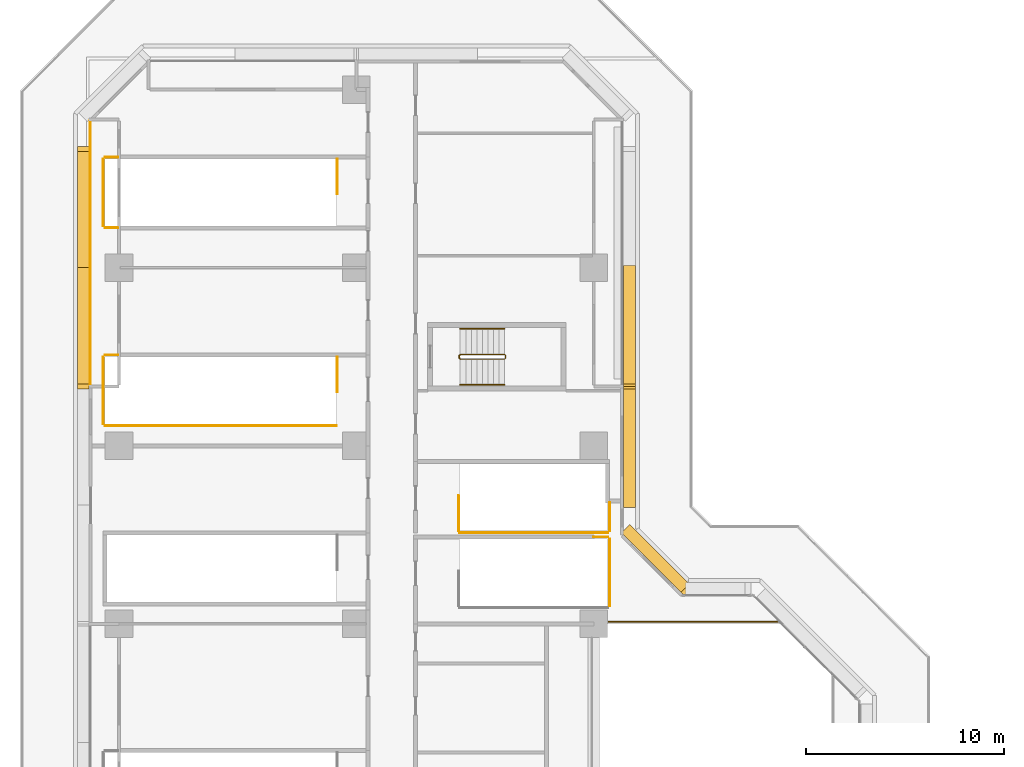
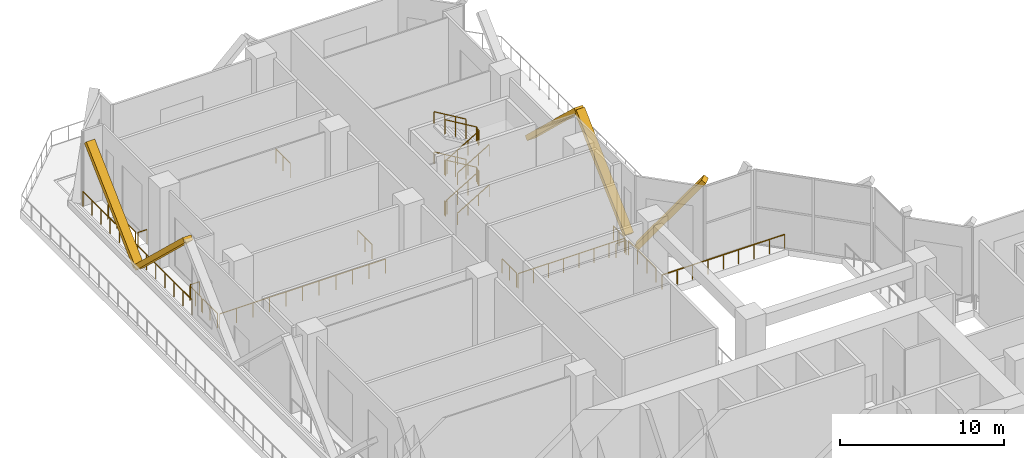
# One storey, part 14 of 16: 21 railings, 5 coverings.
"""IFC4 building model written with IfcOpenShell, lengths in metres."""

from ifc_helpers import new_model, si_unit, direction, frame, origin, origin_2d, place, context, subcontext, project, spatial, rectangle, extrude, material, material_profile, profile_set, type_object, element, save


model = new_model("IFC4")

# Units and contexts
model_context = context("Model", 3, precision=1e-05, world=origin(), true_north=direction((0.0, 1.0)))
body_context = subcontext(model_context, "Body", "Model", "MODEL_VIEW")
ifc_project = project(units=[si_unit("LENGTHUNIT", "METRE"), si_unit("AREAUNIT", "SQUARE_METRE"), si_unit("VOLUMEUNIT", "CUBIC_METRE"), si_unit("PLANEANGLEUNIT", "RADIAN"), si_unit("MASSUNIT", "GRAM", prefix="KILO")], contexts=[model_context])

# Site, building, storey
site_placement = place(None, origin())
site = spatial("IfcSite", under=ifc_project, at=site_placement, CompositionType="ELEMENT")
building_placement = place(site_placement, origin())
building = spatial("IfcBuilding", under=site, at=building_placement, Name="Chenar Terraces", CompositionType="ELEMENT")
storey_placement = place(building_placement, frame((0.0, 0.0, 35.39990234375)))
storey = spatial("IfcBuildingStorey", under=building, at=storey_placement, Name="L06", CompositionType="ELEMENT", Elevation=35.39990234375)

# Railings
ifc_material_1 = material(Name="Powder-coated steel", Category="steel")
railing_type_1 = type_object("IfcRailingType", Name="Guard 1100 steel rail with glass infill", PredefinedType="GUARDRAIL", material=ifc_material_1)
railing_1_placement = place(storey_placement, frame((24.75, 36.10009765625, 0.0)))
element("IfcRailing", 1, at=railing_1_placement, inside=storey, type_object=railing_type_1, Name="Guard L06-2", PredefinedType="GUARDRAIL", context=body_context, shape_type="SweptSolid", body=[
    extrude(rectangle(XDim=0.06005859375, YDim=0.06005859375, at=origin_2d()), frame((0.0, 0.0, 1.070068359375), z_axis=(1.0, 0.0, 0.0), x_axis=(0.0, 1.0, 0.0)), (0.0, 0.0, 1.0), 8.64990234375),
    extrude(rectangle(XDim=0.050048828125, YDim=0.050048828125, at=origin_2d()), origin(), (0.0, 0.0, 1.0), 1.0400390625),
    extrude(rectangle(XDim=0.050048828125, YDim=0.050048828125, at=origin_2d()), frame((1.081298828125, 0.0, 0.0)), (0.0, 0.0, 1.0), 1.0400390625),
    extrude(rectangle(XDim=0.050048828125, YDim=0.050048828125, at=origin_2d()), frame((2.16259765625, 0.0, 0.0)), (0.0, 0.0, 1.0), 1.0400390625),
    extrude(rectangle(XDim=0.050048828125, YDim=0.050048828125, at=origin_2d()), frame((3.24365234375, 0.0, 0.0)), (0.0, 0.0, 1.0), 1.0400390625),
    extrude(rectangle(XDim=0.050048828125, YDim=0.050048828125, at=origin_2d()), frame((4.324951171875, 0.0, 0.0)), (0.0, 0.0, 1.0), 1.0400390625),
    extrude(rectangle(XDim=0.050048828125, YDim=0.050048828125, at=origin_2d()), frame((5.40625, 0.0, 0.0)), (0.0, 0.0, 1.0), 1.0400390625),
    extrude(rectangle(XDim=0.050048828125, YDim=0.050048828125, at=origin_2d()), frame((6.4873046875, 0.0, 0.0)), (0.0, 0.0, 1.0), 1.0400390625),
    extrude(rectangle(XDim=0.050048828125, YDim=0.050048828125, at=origin_2d()), frame((7.568603515625, 0.0, 0.0)), (0.0, 0.0, 1.0), 1.0400390625),
    extrude(rectangle(XDim=0.050048828125, YDim=0.050048828125, at=origin_2d()), frame((8.64990234375, 0.0, 0.0)), (0.0, 0.0, 1.0), 1.0400390625),
])
ifc_material_2 = material(Name="Stainless steel and glass", Category="steel")
railing_type_2 = type_object("IfcRailingType", Name="Loggia guard 1150", PredefinedType="GUARDRAIL", material=ifc_material_2)
railing_2_placement = place(storey_placement, frame((-1.449951171875, 61.425048828125, 0.0)))
element("IfcRailing", 2, at=railing_2_placement, inside=storey, type_object=railing_type_2, Name="Loggia guard", PredefinedType="GUARDRAIL", context=body_context, shape_type="SweptSolid", body=[
    extrude(rectangle(XDim=0.048095703125, YDim=0.048095703125, at=origin_2d()), frame((0.0, 0.0, 1.1259765625), z_axis=(0.0, -1.0, 0.0), x_axis=(1.0, 0.0, 0.0)), (0.0, 0.0, 1.0), 13.35009765625),
    extrude(rectangle(XDim=0.0419921875, YDim=0.0419921875, at=origin_2d()), origin(), (0.0, 0.0, 1.0), 1.101806640625),
    extrude(rectangle(XDim=0.0419921875, YDim=0.0419921875, at=origin_2d()), frame((0.0, -1.112548828125, 0.0)), (0.0, 0.0, 1.0), 1.101806640625),
    extrude(rectangle(XDim=0.0419921875, YDim=0.0419921875, at=origin_2d()), frame((0.0, -2.22509765625, 0.0)), (0.0, 0.0, 1.0), 1.101806640625),
    extrude(rectangle(XDim=0.0419921875, YDim=0.0419921875, at=origin_2d()), frame((0.0, -3.33740234375, 0.0)), (0.0, 0.0, 1.0), 1.101806640625),
    extrude(rectangle(XDim=0.0419921875, YDim=0.0419921875, at=origin_2d()), frame((0.0, -4.449951171875, 0.0)), (0.0, 0.0, 1.0), 1.101806640625),
    extrude(rectangle(XDim=0.0419921875, YDim=0.0419921875, at=origin_2d()), frame((0.0, -5.5625, 0.0)), (0.0, 0.0, 1.0), 1.101806640625),
    extrude(rectangle(XDim=0.0419921875, YDim=0.0419921875, at=origin_2d()), frame((0.0, -6.675048828125, 0.0)), (0.0, 0.0, 1.0), 1.101806640625),
    extrude(rectangle(XDim=0.0419921875, YDim=0.0419921875, at=origin_2d()), frame((0.0, -7.78759765625, 0.0)), (0.0, 0.0, 1.0), 1.101806640625),
    extrude(rectangle(XDim=0.0419921875, YDim=0.0419921875, at=origin_2d()), frame((0.0, -8.900146484375, 0.0)), (0.0, 0.0, 1.0), 1.101806640625),
    extrude(rectangle(XDim=0.0419921875, YDim=0.0419921875, at=origin_2d()), frame((0.0, -10.0126953125, 0.0)), (0.0, 0.0, 1.0), 1.101806640625),
    extrude(rectangle(XDim=0.0419921875, YDim=0.0419921875, at=origin_2d()), frame((0.0, -11.125, 0.0)), (0.0, 0.0, 1.0), 1.101806640625),
    extrude(rectangle(XDim=0.0419921875, YDim=0.0419921875, at=origin_2d()), frame((0.0, -12.237548828125, 0.0)), (0.0, 0.0, 1.0), 1.101806640625),
    extrude(rectangle(XDim=0.0419921875, YDim=0.0419921875, at=origin_2d()), frame((0.0, -13.35009765625, 0.0)), (0.0, 0.0, 1.0), 1.101806640625),
])
ifc_material_3 = material(Name="Powder-coated steel", Category="steel")
railing_type_3 = type_object("IfcRailingType", Name="Stair guard 1100", PredefinedType="GUARDRAIL", material=ifc_material_3)
railing_3_placement = place(storey_placement, frame((17.25, 49.625, 6.0)))
element("IfcRailing", 3, at=railing_3_placement, inside=storey, type_object=railing_type_3, Name="L06 ST4 stair guard 1", PredefinedType="GUARDRAIL", context=body_context, shape_type="SweptSolid", body=[
    extrude(rectangle(XDim=0.048095703125, YDim=0.048095703125, at=origin_2d()), frame((0.0, 0.0, 1.076171875), z_axis=(0.859305625298, 0.0, -0.511462454469), x_axis=(0.0, 1.0, 0.0)), (0.0, 0.0, 1.0), 2.606689453125),
    extrude(rectangle(XDim=0.048095703125, YDim=0.048095703125, at=origin_2d()), frame((2.239990234375, 0.0, -0.25732421875), z_axis=(0.27628659633, -0.27628659633, -0.920506074601), x_axis=(0.707106781187, 0.707106781187, 0.0)), (0.0, 0.0, 1.0), 0.18115234375),
    extrude(rectangle(XDim=0.048095703125, YDim=0.048095703125, at=origin_2d()), frame((2.2900390625, -0.050048828125, -0.423828125), z_axis=(0.0, -1.0, 0.0), x_axis=(1.0, 0.0, 0.0)), (0.0, 0.0, 1.0), 0.14990234375),
    extrude(rectangle(XDim=0.048095703125, YDim=0.048095703125, at=origin_2d()), frame((2.2900390625, -0.199951171875, -0.423828125), z_axis=(-0.707106781187, -0.707106781187, 0.0), x_axis=(0.707106781187, -0.707106781187, 0.0)), (0.0, 0.0, 1.0), 0.07080078125),
    extrude(rectangle(XDim=0.048095703125, YDim=0.048095703125, at=origin_2d()), frame((2.239990234375, -0.25, -0.423828125), z_axis=(-0.859305625298, 0.0, -0.511462454469), x_axis=(0.0, -1.0, 0.0)), (0.0, 0.0, 1.0), 2.606689453125),
    extrude(rectangle(XDim=0.048095703125, YDim=0.048095703125, at=origin_2d()), frame((0.0, -0.25, -1.75732421875), z_axis=(-0.188775798145, 0.754182335027, -0.628945707965), x_axis=(-0.970072785993, -0.242814311512, 0.0)), (0.0, 0.0, 1.0), 0.26513671875),
    extrude(rectangle(XDim=0.048095703125, YDim=0.048095703125, at=origin_2d()), frame((-0.050048828125, -0.050048828125, -1.923828125), z_axis=(0.0, -1.0, 0.0), x_axis=(1.0, 0.0, 0.0)), (0.0, 0.0, 1.0), 0.14990234375),
    extrude(rectangle(XDim=0.048095703125, YDim=0.048095703125, at=origin_2d()), frame((-0.050048828125, -0.199951171875, -1.923828125), z_axis=(0.242814311512, 0.970072785993, 0.0), x_axis=(-0.970072785993, 0.242814311512, 0.0)), (0.0, 0.0, 1.0), 0.2060546875),
    extrude(rectangle(XDim=0.048095703125, YDim=0.048095703125, at=origin_2d()), frame((0.0, 0.0, -1.923828125), z_axis=(0.859305625298, 0.0, -0.511462454469), x_axis=(0.0, 1.0, 0.0)), (0.0, 0.0, 1.0), 2.606689453125),
    extrude(rectangle(XDim=0.048095703125, YDim=0.048095703125, at=origin_2d()), frame((2.239990234375, 0.0, -3.25732421875), z_axis=(0.27628659633, -0.27628659633, -0.920506074601), x_axis=(0.707106781187, 0.707106781187, 0.0)), (0.0, 0.0, 1.0), 0.18115234375),
    extrude(rectangle(XDim=0.048095703125, YDim=0.048095703125, at=origin_2d()), frame((2.2900390625, -0.050048828125, -3.423828125), z_axis=(0.0, -1.0, 0.0), x_axis=(1.0, 0.0, 0.0)), (0.0, 0.0, 1.0), 0.14990234375),
    extrude(rectangle(XDim=0.048095703125, YDim=0.048095703125, at=origin_2d()), frame((2.2900390625, -0.199951171875, -3.423828125), z_axis=(-0.707106781187, -0.707106781187, 0.0), x_axis=(0.707106781187, -0.707106781187, 0.0)), (0.0, 0.0, 1.0), 0.07080078125),
    extrude(rectangle(XDim=0.048095703125, YDim=0.048095703125, at=origin_2d()), frame((2.239990234375, -0.25, -3.423828125), z_axis=(-0.859305625298, 0.0, -0.511462454469), x_axis=(0.0, -1.0, 0.0)), (0.0, 0.0, 1.0), 2.606689453125),
    extrude(rectangle(XDim=0.048095703125, YDim=0.048095703125, at=origin_2d()), frame((0.0, -0.25, -4.75732421875), z_axis=(-0.27628659633, 0.27628659633, -0.920506074601), x_axis=(-0.707106781187, -0.707106781187, 0.0)), (0.0, 0.0, 1.0), 0.18115234375),
    extrude(rectangle(XDim=0.048095703125, YDim=0.048095703125, at=origin_2d()), frame((-0.050048828125, -0.199951171875, -4.923828125), z_axis=(0.0, 1.0, 0.0), x_axis=(-1.0, 0.0, 0.0)), (0.0, 0.0, 1.0), 0.14990234375),
    extrude(rectangle(XDim=0.0419921875, YDim=0.0419921875, at=origin_2d()), origin(), (0.0, 0.0, 1.0), 1.052001953125),
    extrude(rectangle(XDim=0.0419921875, YDim=0.0419921875, at=origin_2d()), frame((0.74658203125, 0.0, -0.4443359375)), (0.0, 0.0, 1.0), 1.052001953125),
    extrude(rectangle(XDim=0.0419921875, YDim=0.0419921875, at=origin_2d()), frame((1.493408203125, 0.0, -0.888916015625)), (0.0, 0.0, 1.0), 1.052001953125),
    extrude(rectangle(XDim=0.0419921875, YDim=0.0419921875, at=origin_2d()), frame((2.239990234375, 0.0, -1.333251953125)), (0.0, 0.0, 1.0), 1.052001953125),
    extrude(rectangle(XDim=0.0419921875, YDim=0.0419921875, at=origin_2d()), frame((2.2900390625, -0.050048828125, -1.5)), (0.0, 0.0, 1.0), 1.052001953125),
    extrude(rectangle(XDim=0.0419921875, YDim=0.0419921875, at=origin_2d()), frame((2.2900390625, -0.199951171875, -1.5)), (0.0, 0.0, 1.0), 1.052001953125),
    extrude(rectangle(XDim=0.0419921875, YDim=0.0419921875, at=origin_2d()), frame((2.239990234375, -0.25, -1.5)), (0.0, 0.0, 1.0), 1.052001953125),
    extrude(rectangle(XDim=0.0419921875, YDim=0.0419921875, at=origin_2d()), frame((1.493408203125, -0.25, -1.9443359375)), (0.0, 0.0, 1.0), 1.052001953125),
    extrude(rectangle(XDim=0.0419921875, YDim=0.0419921875, at=origin_2d()), frame((0.74658203125, -0.25, -2.388916015625)), (0.0, 0.0, 1.0), 1.052001953125),
    extrude(rectangle(XDim=0.0419921875, YDim=0.0419921875, at=origin_2d()), frame((0.0, -0.25, -2.833251953125)), (0.0, 0.0, 1.0), 1.052001953125),
    extrude(rectangle(XDim=0.0419921875, YDim=0.0419921875, at=origin_2d()), frame((-0.050048828125, -0.050048828125, -3.0)), (0.0, 0.0, 1.0), 1.052001953125),
    extrude(rectangle(XDim=0.0419921875, YDim=0.0419921875, at=origin_2d()), frame((-0.050048828125, -0.199951171875, -3.0)), (0.0, 0.0, 1.0), 1.052001953125),
    extrude(rectangle(XDim=0.0419921875, YDim=0.0419921875, at=origin_2d()), frame((0.0, 0.0, -3.0)), (0.0, 0.0, 1.0), 1.052001953125),
    extrude(rectangle(XDim=0.0419921875, YDim=0.0419921875, at=origin_2d()), frame((0.74658203125, 0.0, -3.4443359375)), (0.0, 0.0, 1.0), 1.052001953125),
    extrude(rectangle(XDim=0.0419921875, YDim=0.0419921875, at=origin_2d()), frame((1.493408203125, 0.0, -3.888916015625)), (0.0, 0.0, 1.0), 1.052001953125),
    extrude(rectangle(XDim=0.0419921875, YDim=0.0419921875, at=origin_2d()), frame((2.239990234375, 0.0, -4.333251953125)), (0.0, 0.0, 1.0), 1.052001953125),
    extrude(rectangle(XDim=0.0419921875, YDim=0.0419921875, at=origin_2d()), frame((2.2900390625, -0.050048828125, -4.5)), (0.0, 0.0, 1.0), 1.052001953125),
    extrude(rectangle(XDim=0.0419921875, YDim=0.0419921875, at=origin_2d()), frame((2.2900390625, -0.199951171875, -4.5)), (0.0, 0.0, 1.0), 1.052001953125),
    extrude(rectangle(XDim=0.0419921875, YDim=0.0419921875, at=origin_2d()), frame((2.239990234375, -0.25, -4.5)), (0.0, 0.0, 1.0), 1.052001953125),
    extrude(rectangle(XDim=0.0419921875, YDim=0.0419921875, at=origin_2d()), frame((1.493408203125, -0.25, -4.9443359375)), (0.0, 0.0, 1.0), 1.052001953125),
    extrude(rectangle(XDim=0.0419921875, YDim=0.0419921875, at=origin_2d()), frame((0.74658203125, -0.25, -5.388916015625)), (0.0, 0.0, 1.0), 1.052001953125),
    extrude(rectangle(XDim=0.0419921875, YDim=0.0419921875, at=origin_2d()), frame((0.0, -0.25, -5.833251953125)), (0.0, 0.0, 1.0), 1.052001953125),
    extrude(rectangle(XDim=0.0419921875, YDim=0.0419921875, at=origin_2d()), frame((-0.050048828125, -0.199951171875, -6.0)), (0.0, 0.0, 1.0), 1.052001953125),
    extrude(rectangle(XDim=0.0419921875, YDim=0.0419921875, at=origin_2d()), frame((-0.050048828125, -0.050048828125, -6.0)), (0.0, 0.0, 1.0), 1.052001953125),
])
for number, where, name in (
    (4, (11.034912109375, 57.72509765625, 0.0), "L06 PS3 top well guard 1"),
    (5, (11.034912109375, 47.72509765625, 0.0), "L06 PS4 top well guard 1"),
):
    element("IfcRailing", number, at=place(storey_placement, frame(where)), inside=storey, type_object=railing_type_3, Name=name, PredefinedType="GUARDRAIL", context=body_context, shape_type="SweptSolid", body=[
        extrude(rectangle(XDim=0.048095703125, YDim=0.048095703125, at=origin_2d()), frame((0.0, 0.0, 1.076171875), z_axis=(0.0, 1.0, 0.0), x_axis=(-1.0, 0.0, 0.0)), (0.0, 0.0, 1.0), 1.764892578125),
        extrude(rectangle(XDim=0.0419921875, YDim=0.0419921875, at=origin_2d()), origin(), (0.0, 0.0, 1.0), 1.052001953125),
        extrude(rectangle(XDim=0.0419921875, YDim=0.0419921875, at=origin_2d()), frame((0.0, 0.88232421875, 0.0)), (0.0, 0.0, 1.0), 1.052001953125),
        extrude(rectangle(XDim=0.0419921875, YDim=0.0419921875, at=origin_2d()), frame((0.0, 1.764892578125, 0.0)), (0.0, 0.0, 1.0), 1.052001953125),
    ])
railing_4_placement = place(storey_placement, frame((17.1650390625, 42.47509765625, 0.0)))
element("IfcRailing", 6, at=railing_4_placement, inside=storey, type_object=railing_type_3, Name="L06 PS8 top well guard 1", PredefinedType="GUARDRAIL", context=body_context, shape_type="SweptSolid", body=[
    extrude(rectangle(XDim=0.048095703125, YDim=0.048095703125, at=origin_2d()), frame((0.0, 0.0, 1.076171875), z_axis=(0.0, -1.0, 0.0), x_axis=(1.0, 0.0, 0.0)), (0.0, 0.0, 1.0), 1.76513671875),
    extrude(rectangle(XDim=0.0419921875, YDim=0.0419921875, at=origin_2d()), origin(), (0.0, 0.0, 1.0), 1.052001953125),
    extrude(rectangle(XDim=0.0419921875, YDim=0.0419921875, at=origin_2d()), frame((0.0, -0.882568359375, 0.0)), (0.0, 0.0, 1.0), 1.052001953125),
    extrude(rectangle(XDim=0.0419921875, YDim=0.0419921875, at=origin_2d()), frame((0.0, -1.76513671875, 0.0)), (0.0, 0.0, 1.0), 1.052001953125),
])
railing_5_placement = place(storey_placement, frame((-0.048095703125, 59.590087890625, 0.0)))
element("IfcRailing", 7, at=railing_5_placement, inside=storey, type_object=railing_type_3, Name="L06 PS3 stair guard 101", PredefinedType="GUARDRAIL", context=body_context, shape_type="SweptSolid", body=[
    extrude(rectangle(XDim=0.048095703125, YDim=0.048095703125, at=origin_2d()), frame((0.0, 0.0, 1.076171875), z_axis=(-1.0, 0.0, 0.0), x_axis=(0.0, -1.0, 0.0)), (0.0, 0.0, 1.0), 0.65185546875),
    extrude(rectangle(XDim=0.0419921875, YDim=0.0419921875, at=origin_2d()), origin(), (0.0, 0.0, 1.0), 1.052001953125),
    extrude(rectangle(XDim=0.0419921875, YDim=0.0419921875, at=origin_2d()), frame((-0.65185546875, 0.0, 0.0)), (0.0, 0.0, 1.0), 1.052001953125),
])
railing_6_placement = place(storey_placement, frame((-0.800048828125, 59.489990234375, 0.0)))
element("IfcRailing", 8, at=railing_6_placement, inside=storey, type_object=railing_type_3, Name="L06 PS3 stair guard 102", PredefinedType="GUARDRAIL", context=body_context, shape_type="SweptSolid", body=[
    extrude(rectangle(XDim=0.048095703125, YDim=0.048095703125, at=origin_2d()), frame((0.0, 0.0, 1.076171875), z_axis=(0.0, -1.0, 0.0), x_axis=(1.0, 0.0, 0.0)), (0.0, 0.0, 1.0), 3.3798828125),
    extrude(rectangle(XDim=0.0419921875, YDim=0.0419921875, at=origin_2d()), origin(), (0.0, 0.0, 1.0), 1.052001953125),
    extrude(rectangle(XDim=0.0419921875, YDim=0.0419921875, at=origin_2d()), frame((0.0, -1.126708984375, 0.0)), (0.0, 0.0, 1.0), 1.052001953125),
    extrude(rectangle(XDim=0.0419921875, YDim=0.0419921875, at=origin_2d()), frame((0.0, -2.253173828125, 0.0)), (0.0, 0.0, 1.0), 1.052001953125),
    extrude(rectangle(XDim=0.0419921875, YDim=0.0419921875, at=origin_2d()), frame((0.0, -3.3798828125, 0.0)), (0.0, 0.0, 1.0), 1.052001953125),
])
railing_7_placement = place(storey_placement, frame((-0.699951171875, 56.010009765625, 0.0)))
element("IfcRailing", 9, at=railing_7_placement, inside=storey, type_object=railing_type_3, Name="L06 PS3 stair guard 103", PredefinedType="GUARDRAIL", context=body_context, shape_type="SweptSolid", body=[
    extrude(rectangle(XDim=0.048095703125, YDim=0.048095703125, at=origin_2d()), frame((0.0, 0.0, 1.076171875), z_axis=(1.0, 0.0, 0.0), x_axis=(0.0, 1.0, 0.0)), (0.0, 0.0, 1.0), 0.65185546875),
    extrude(rectangle(XDim=0.0419921875, YDim=0.0419921875, at=origin_2d()), origin(), (0.0, 0.0, 1.0), 1.052001953125),
    extrude(rectangle(XDim=0.0419921875, YDim=0.0419921875, at=origin_2d()), frame((0.65185546875, 0.0, 0.0)), (0.0, 0.0, 1.0), 1.052001953125),
])
railing_8_placement = place(storey_placement, frame((-0.048095703125, 49.590087890625, 0.0)))
element("IfcRailing", 10, at=railing_8_placement, inside=storey, type_object=railing_type_3, Name="L06 PS4 stair guard 101", PredefinedType="GUARDRAIL", context=body_context, shape_type="SweptSolid", body=[
    extrude(rectangle(XDim=0.048095703125, YDim=0.048095703125, at=origin_2d()), frame((0.0, 0.0, 1.076171875), z_axis=(-1.0, 0.0, 0.0), x_axis=(0.0, -1.0, 0.0)), (0.0, 0.0, 1.0), 0.65185546875),
    extrude(rectangle(XDim=0.0419921875, YDim=0.0419921875, at=origin_2d()), origin(), (0.0, 0.0, 1.0), 1.052001953125),
    extrude(rectangle(XDim=0.0419921875, YDim=0.0419921875, at=origin_2d()), frame((-0.65185546875, 0.0, 0.0)), (0.0, 0.0, 1.0), 1.052001953125),
])
railing_9_placement = place(storey_placement, frame((-0.800048828125, 49.489990234375, 0.0)))
element("IfcRailing", 11, at=railing_9_placement, inside=storey, type_object=railing_type_3, Name="L06 PS4 stair guard 102", PredefinedType="GUARDRAIL", context=body_context, shape_type="SweptSolid", body=[
    extrude(rectangle(XDim=0.048095703125, YDim=0.048095703125, at=origin_2d()), frame((0.0, 0.0, 1.076171875), z_axis=(0.0, -1.0, 0.0), x_axis=(1.0, 0.0, 0.0)), (0.0, 0.0, 1.0), 1.412109375),
    extrude(rectangle(XDim=0.0419921875, YDim=0.0419921875, at=origin_2d()), origin(), (0.0, 0.0, 1.0), 1.052001953125),
    extrude(rectangle(XDim=0.0419921875, YDim=0.0419921875, at=origin_2d()), frame((0.0, -0.7060546875, 0.0)), (0.0, 0.0, 1.0), 1.052001953125),
    extrude(rectangle(XDim=0.0419921875, YDim=0.0419921875, at=origin_2d()), frame((0.0, -1.412109375, 0.0)), (0.0, 0.0, 1.0), 1.052001953125),
])
railing_10_placement = place(storey_placement, frame((-0.800048828125, 47.92578125, 0.0)))
element("IfcRailing", 12, at=railing_10_placement, inside=storey, type_object=railing_type_3, Name="L06 PS4 stair guard 103", PredefinedType="GUARDRAIL", context=body_context, shape_type="SweptSolid", body=[
    extrude(rectangle(XDim=0.048095703125, YDim=0.048095703125, at=origin_2d()), frame((0.0, 0.0, 1.076171875), z_axis=(0.0, -1.0, 0.0), x_axis=(1.0, 0.0, 0.0)), (0.0, 0.0, 1.0), 1.815673828125),
    extrude(rectangle(XDim=0.0419921875, YDim=0.0419921875, at=origin_2d()), origin(), (0.0, 0.0, 1.0), 1.052001953125),
    extrude(rectangle(XDim=0.0419921875, YDim=0.0419921875, at=origin_2d()), frame((0.0, -0.90771484375, 0.0)), (0.0, 0.0, 1.0), 1.052001953125),
    extrude(rectangle(XDim=0.0419921875, YDim=0.0419921875, at=origin_2d()), frame((0.0, -1.815673828125, 0.0)), (0.0, 0.0, 1.0), 1.052001953125),
])
railing_11_placement = place(storey_placement, frame((-0.699951171875, 46.010009765625, 0.0)))
element("IfcRailing", 13, at=railing_11_placement, inside=storey, type_object=railing_type_3, Name="L06 PS4 stair guard 104", PredefinedType="GUARDRAIL", context=body_context, shape_type="SweptSolid", body=[
    extrude(rectangle(XDim=0.048095703125, YDim=0.048095703125, at=origin_2d()), frame((0.0, 0.0, 1.076171875), z_axis=(1.0, 0.0, 0.0), x_axis=(0.0, 1.0, 0.0)), (0.0, 0.0, 1.0), 11.68505859375),
    extrude(rectangle(XDim=0.0419921875, YDim=0.0419921875, at=origin_2d()), origin(), (0.0, 0.0, 1.0), 1.052001953125),
    extrude(rectangle(XDim=0.0419921875, YDim=0.0419921875, at=origin_2d()), frame((1.16845703125, 0.0, 0.0)), (0.0, 0.0, 1.0), 1.052001953125),
    extrude(rectangle(XDim=0.0419921875, YDim=0.0419921875, at=origin_2d()), frame((2.3369140625, 0.0, 0.0)), (0.0, 0.0, 1.0), 1.052001953125),
    extrude(rectangle(XDim=0.0419921875, YDim=0.0419921875, at=origin_2d()), frame((3.505615234375, 0.0, 0.0)), (0.0, 0.0, 1.0), 1.052001953125),
    extrude(rectangle(XDim=0.0419921875, YDim=0.0419921875, at=origin_2d()), frame((4.674072265625, 0.0, 0.0)), (0.0, 0.0, 1.0), 1.052001953125),
    extrude(rectangle(XDim=0.0419921875, YDim=0.0419921875, at=origin_2d()), frame((5.842529296875, 0.0, 0.0)), (0.0, 0.0, 1.0), 1.052001953125),
    extrude(rectangle(XDim=0.0419921875, YDim=0.0419921875, at=origin_2d()), frame((7.010986328125, 0.0, 0.0)), (0.0, 0.0, 1.0), 1.052001953125),
    extrude(rectangle(XDim=0.0419921875, YDim=0.0419921875, at=origin_2d()), frame((8.179443359375, 0.0, 0.0)), (0.0, 0.0, 1.0), 1.052001953125),
    extrude(rectangle(XDim=0.0419921875, YDim=0.0419921875, at=origin_2d()), frame((9.34814453125, 0.0, 0.0)), (0.0, 0.0, 1.0), 1.052001953125),
    extrude(rectangle(XDim=0.0419921875, YDim=0.0419921875, at=origin_2d()), frame((10.5166015625, 0.0, 0.0)), (0.0, 0.0, 1.0), 1.052001953125),
    extrude(rectangle(XDim=0.0419921875, YDim=0.0419921875, at=origin_2d()), frame((11.68505859375, 0.0, 0.0)), (0.0, 0.0, 1.0), 1.052001953125),
])
railing_12_placement = place(storey_placement, frame((24.800048828125, 36.909912109375, 0.0)))
element("IfcRailing", 14, at=railing_12_placement, inside=storey, type_object=railing_type_3, Name="L06 PS7 stair guard 102", PredefinedType="GUARDRAIL", context=body_context, shape_type="SweptSolid", body=[
    extrude(rectangle(XDim=0.048095703125, YDim=0.048095703125, at=origin_2d()), frame((0.0, 0.0, 1.076171875), z_axis=(0.0, 1.0, 0.0), x_axis=(-1.0, 0.0, 0.0)), (0.0, 0.0, 1.0), 3.380126953125),
    extrude(rectangle(XDim=0.0419921875, YDim=0.0419921875, at=origin_2d()), origin(), (0.0, 0.0, 1.0), 1.052001953125),
    extrude(rectangle(XDim=0.0419921875, YDim=0.0419921875, at=origin_2d()), frame((0.0, 1.126708984375, 0.0)), (0.0, 0.0, 1.0), 1.052001953125),
    extrude(rectangle(XDim=0.0419921875, YDim=0.0419921875, at=origin_2d()), frame((0.0, 2.25341796875, 0.0)), (0.0, 0.0, 1.0), 1.052001953125),
    extrude(rectangle(XDim=0.0419921875, YDim=0.0419921875, at=origin_2d()), frame((0.0, 3.380126953125, 0.0)), (0.0, 0.0, 1.0), 1.052001953125),
])
railing_13_placement = place(storey_placement, frame((24.699951171875, 40.389892578125, 0.0)))
element("IfcRailing", 15, at=railing_13_placement, inside=storey, type_object=railing_type_3, Name="L06 PS7 stair guard 103", PredefinedType="GUARDRAIL", context=body_context, shape_type="SweptSolid", body=[
    extrude(rectangle(XDim=0.048095703125, YDim=0.048095703125, at=origin_2d()), frame((0.0, 0.0, 1.076171875), z_axis=(-1.0, 0.0, 0.0), x_axis=(0.0, -1.0, 0.0)), (0.0, 0.0, 1.0), 0.703125),
    extrude(rectangle(XDim=0.0419921875, YDim=0.0419921875, at=origin_2d()), origin(), (0.0, 0.0, 1.0), 1.052001953125),
    extrude(rectangle(XDim=0.0419921875, YDim=0.0419921875, at=origin_2d()), frame((-0.703125, 0.0, 0.0)), (0.0, 0.0, 1.0), 1.052001953125),
])
railing_14_placement = place(storey_placement, frame((17.215087890625, 40.610107421875, 0.0)))
element("IfcRailing", 16, at=railing_14_placement, inside=storey, type_object=railing_type_3, Name="L06 PS8 stair guard 101", PredefinedType="GUARDRAIL", context=body_context, shape_type="SweptSolid", body=[
    extrude(rectangle(XDim=0.048095703125, YDim=0.048095703125, at=origin_2d()), frame((0.0, 0.0, 1.076171875), z_axis=(1.0, 0.0, 0.0), x_axis=(0.0, 1.0, 0.0)), (0.0, 0.0, 1.0), 7.48486328125),
    extrude(rectangle(XDim=0.0419921875, YDim=0.0419921875, at=origin_2d()), origin(), (0.0, 0.0, 1.0), 1.052001953125),
    extrude(rectangle(XDim=0.0419921875, YDim=0.0419921875, at=origin_2d()), frame((1.0693359375, 0.0, 0.0)), (0.0, 0.0, 1.0), 1.052001953125),
    extrude(rectangle(XDim=0.0419921875, YDim=0.0419921875, at=origin_2d()), frame((2.138427734375, 0.0, 0.0)), (0.0, 0.0, 1.0), 1.052001953125),
    extrude(rectangle(XDim=0.0419921875, YDim=0.0419921875, at=origin_2d()), frame((3.207763671875, 0.0, 0.0)), (0.0, 0.0, 1.0), 1.052001953125),
    extrude(rectangle(XDim=0.0419921875, YDim=0.0419921875, at=origin_2d()), frame((4.277099609375, 0.0, 0.0)), (0.0, 0.0, 1.0), 1.052001953125),
    extrude(rectangle(XDim=0.0419921875, YDim=0.0419921875, at=origin_2d()), frame((5.346435546875, 0.0, 0.0)), (0.0, 0.0, 1.0), 1.052001953125),
    extrude(rectangle(XDim=0.0419921875, YDim=0.0419921875, at=origin_2d()), frame((6.41552734375, 0.0, 0.0)), (0.0, 0.0, 1.0), 1.052001953125),
    extrude(rectangle(XDim=0.0419921875, YDim=0.0419921875, at=origin_2d()), frame((7.48486328125, 0.0, 0.0)), (0.0, 0.0, 1.0), 1.052001953125),
])
railing_15_placement = place(storey_placement, frame((24.800048828125, 40.7099609375, 0.0)))
element("IfcRailing", 17, at=railing_15_placement, inside=storey, type_object=railing_type_3, Name="L06 PS8 stair guard 102", PredefinedType="GUARDRAIL", context=body_context, shape_type="SweptSolid", body=[
    extrude(rectangle(XDim=0.048095703125, YDim=0.048095703125, at=origin_2d()), frame((0.0, 0.0, 1.076171875), z_axis=(0.0, 1.0, 0.0), x_axis=(-1.0, 0.0, 0.0)), (0.0, 0.0, 1.0), 1.412109375),
    extrude(rectangle(XDim=0.0419921875, YDim=0.0419921875, at=origin_2d()), origin(), (0.0, 0.0, 1.0), 1.052001953125),
    extrude(rectangle(XDim=0.0419921875, YDim=0.0419921875, at=origin_2d()), frame((0.0, 0.7060546875, 0.0)), (0.0, 0.0, 1.0), 1.052001953125),
    extrude(rectangle(XDim=0.0419921875, YDim=0.0419921875, at=origin_2d()), frame((0.0, 1.412109375, 0.0)), (0.0, 0.0, 1.0), 1.052001953125),
])
ifc_material_4 = material(Name="Powder-coated steel", Category="steel")
railing_type_4 = type_object("IfcRailingType", Name="Stair handrail 900", PredefinedType="HANDRAIL", material=ifc_material_4)
railing_16_placement = place(storey_placement, frame((17.25, 48.074951171875, 0.166748046875)))
element("IfcRailing", 18, at=railing_16_placement, inside=storey, type_object=railing_type_4, Name="L06 ST4 stair handrail 1", PredefinedType="HANDRAIL", context=body_context, shape_type="SweptSolid", body=[
    extrude(rectangle(XDim=0.048095703125, YDim=0.048095703125, at=origin_2d()), frame((0.0, 0.0, 0.8759765625), z_axis=(0.859305625298, 0.0, 0.511462454469), x_axis=(0.0, 1.0, 0.0)), (0.0, 0.0, 1.0), 2.606689453125),
    extrude(rectangle(XDim=0.0419921875, YDim=0.0419921875, at=origin_2d()), origin(), (0.0, 0.0, 1.0), 0.851806640625),
    extrude(rectangle(XDim=0.0419921875, YDim=0.0419921875, at=origin_2d()), frame((0.74658203125, 0.0, 0.4443359375)), (0.0, 0.0, 1.0), 0.851806640625),
    extrude(rectangle(XDim=0.0419921875, YDim=0.0419921875, at=origin_2d()), frame((1.493408203125, 0.0, 0.888916015625)), (0.0, 0.0, 1.0), 0.851806640625),
    extrude(rectangle(XDim=0.0419921875, YDim=0.0419921875, at=origin_2d()), frame((2.239990234375, 0.0, 1.333251953125)), (0.0, 0.0, 1.0), 0.851806640625),
])
railing_17_placement = place(storey_placement, frame((19.489990234375, 50.925048828125, 1.666748046875)))
element("IfcRailing", 19, at=railing_17_placement, inside=storey, type_object=railing_type_4, Name="L06 ST4 stair handrail 2", PredefinedType="HANDRAIL", context=body_context, shape_type="SweptSolid", body=[
    extrude(rectangle(XDim=0.048095703125, YDim=0.048095703125, at=origin_2d()), frame((0.0, 0.0, 0.8759765625), z_axis=(-0.859305625298, 0.0, 0.511462454469), x_axis=(0.0, -1.0, 0.0)), (0.0, 0.0, 1.0), 2.606689453125),
    extrude(rectangle(XDim=0.0419921875, YDim=0.0419921875, at=origin_2d()), origin(), (0.0, 0.0, 1.0), 0.851806640625),
    extrude(rectangle(XDim=0.0419921875, YDim=0.0419921875, at=origin_2d()), frame((-0.74658203125, 0.0, 0.4443359375)), (0.0, 0.0, 1.0), 0.851806640625),
    extrude(rectangle(XDim=0.0419921875, YDim=0.0419921875, at=origin_2d()), frame((-1.493408203125, 0.0, 0.888916015625)), (0.0, 0.0, 1.0), 0.851806640625),
    extrude(rectangle(XDim=0.0419921875, YDim=0.0419921875, at=origin_2d()), frame((-2.239990234375, 0.0, 1.333251953125)), (0.0, 0.0, 1.0), 0.851806640625),
])
railing_18_placement = place(storey_placement, frame((17.25, 48.074951171875, 3.166748046875)))
element("IfcRailing", 20, at=railing_18_placement, inside=storey, type_object=railing_type_4, Name="L06 ST4 stair handrail 3", PredefinedType="HANDRAIL", context=body_context, shape_type="SweptSolid", body=[
    extrude(rectangle(XDim=0.048095703125, YDim=0.048095703125, at=origin_2d()), frame((0.0, 0.0, 0.8759765625), z_axis=(0.859305625298, 0.0, 0.511462454469), x_axis=(0.0, 1.0, 0.0)), (0.0, 0.0, 1.0), 2.606689453125),
    extrude(rectangle(XDim=0.0419921875, YDim=0.0419921875, at=origin_2d()), origin(), (0.0, 0.0, 1.0), 0.851806640625),
    extrude(rectangle(XDim=0.0419921875, YDim=0.0419921875, at=origin_2d()), frame((0.74658203125, 0.0, 0.4443359375)), (0.0, 0.0, 1.0), 0.851806640625),
    extrude(rectangle(XDim=0.0419921875, YDim=0.0419921875, at=origin_2d()), frame((1.493408203125, 0.0, 0.888916015625)), (0.0, 0.0, 1.0), 0.851806640625),
    extrude(rectangle(XDim=0.0419921875, YDim=0.0419921875, at=origin_2d()), frame((2.239990234375, 0.0, 1.333251953125)), (0.0, 0.0, 1.0), 0.851806640625),
])
railing_19_placement = place(storey_placement, frame((19.489990234375, 50.925048828125, 4.666748046875)))
element("IfcRailing", 21, at=railing_19_placement, inside=storey, type_object=railing_type_4, Name="L06 ST4 stair handrail 4", PredefinedType="HANDRAIL", context=body_context, shape_type="SweptSolid", body=[
    extrude(rectangle(XDim=0.048095703125, YDim=0.048095703125, at=origin_2d()), frame((0.0, 0.0, 0.8759765625), z_axis=(-0.859305625298, 0.0, 0.511462454469), x_axis=(0.0, -1.0, 0.0)), (0.0, 0.0, 1.0), 2.606689453125),
    extrude(rectangle(XDim=0.0419921875, YDim=0.0419921875, at=origin_2d()), origin(), (0.0, 0.0, 1.0), 0.851806640625),
    extrude(rectangle(XDim=0.0419921875, YDim=0.0419921875, at=origin_2d()), frame((-0.74658203125, 0.0, 0.4443359375)), (0.0, 0.0, 1.0), 0.851806640625),
    extrude(rectangle(XDim=0.0419921875, YDim=0.0419921875, at=origin_2d()), frame((-1.493408203125, 0.0, 0.888916015625)), (0.0, 0.0, 1.0), 0.851806640625),
    extrude(rectangle(XDim=0.0419921875, YDim=0.0419921875, at=origin_2d()), frame((-2.239990234375, 0.0, 1.333251953125)), (0.0, 0.0, 1.0), 0.851806640625),
])

# Coverings
ifc_material_5 = material(Name="Terracotta", Category="masonry")
ifc_material_profile = material_profile(ifc_material_5, rectangle(XDim=0.60009765625, YDim=0.35009765625, at=origin_2d()), Name="Terracotta baguette 600 x 350")
ifc_profile_set = profile_set([ifc_material_profile], Name="Terracotta")
covering_type = type_object("IfcCoveringType", Name="Terracotta baguette 600 x 350", PredefinedType="CLADDING", material=ifc_profile_set)
covering_placement = place(storey_placement, frame((28.712158203125, 37.712158203125, 5.85009765625), z_axis=(-0.422202658261, 0.422202658261, -0.802178178907), x_axis=(-0.707106781187, -0.707106781187, 0.0)))
element("IfcCovering", 22, at=covering_placement, inside=storey, type_object=covering_type, Name="Terracotta baguette", PredefinedType="CLADDING", context=body_context, shape_type="SweptSolid", body=[
    extrude(rectangle(XDim=0.60009765625, YDim=0.35009765625, at=origin_2d()), origin(), (0.0, 0.0, 1.0), 7.105712890625),
])
for number, where, z_axis, x_axis, name in (
    (23, (25.800048828125, 42.0, 0.150146484375), (0.0, 0.725002379753, 0.688746360681), (-1.0, 0.0, 0.0), "Terracotta baguette"),
    (24, (25.800048828125, 48.0, 5.85009765625), (0.0, 0.725002379753, -0.688746360681), (-1.0, 0.0, 0.0), "Terracotta baguette"),
    (25, (-1.800048828125, 60.0, 5.85009765625), (0.0, -0.725002379753, -0.688746360681), (1.0, 0.0, 0.0), "Terracotta baguette"),
    (26, (-1.800048828125, 54.0, 0.150146484375), (0.0, -0.725002379753, 0.688746360681), (1.0, 0.0, 0.0), "Terracotta baguette"),
):
    element("IfcCovering", number, at=place(storey_placement, frame(where, z_axis=z_axis, x_axis=x_axis)), inside=storey, type_object=covering_type, Name=name, PredefinedType="CLADDING", context=body_context, shape_type="SweptSolid", body=[
        extrude(rectangle(XDim=0.60009765625, YDim=0.35009765625, at=origin_2d()), origin(), (0.0, 0.0, 1.0), 8.27587890625),
    ])

save(model, "model.ifc")
